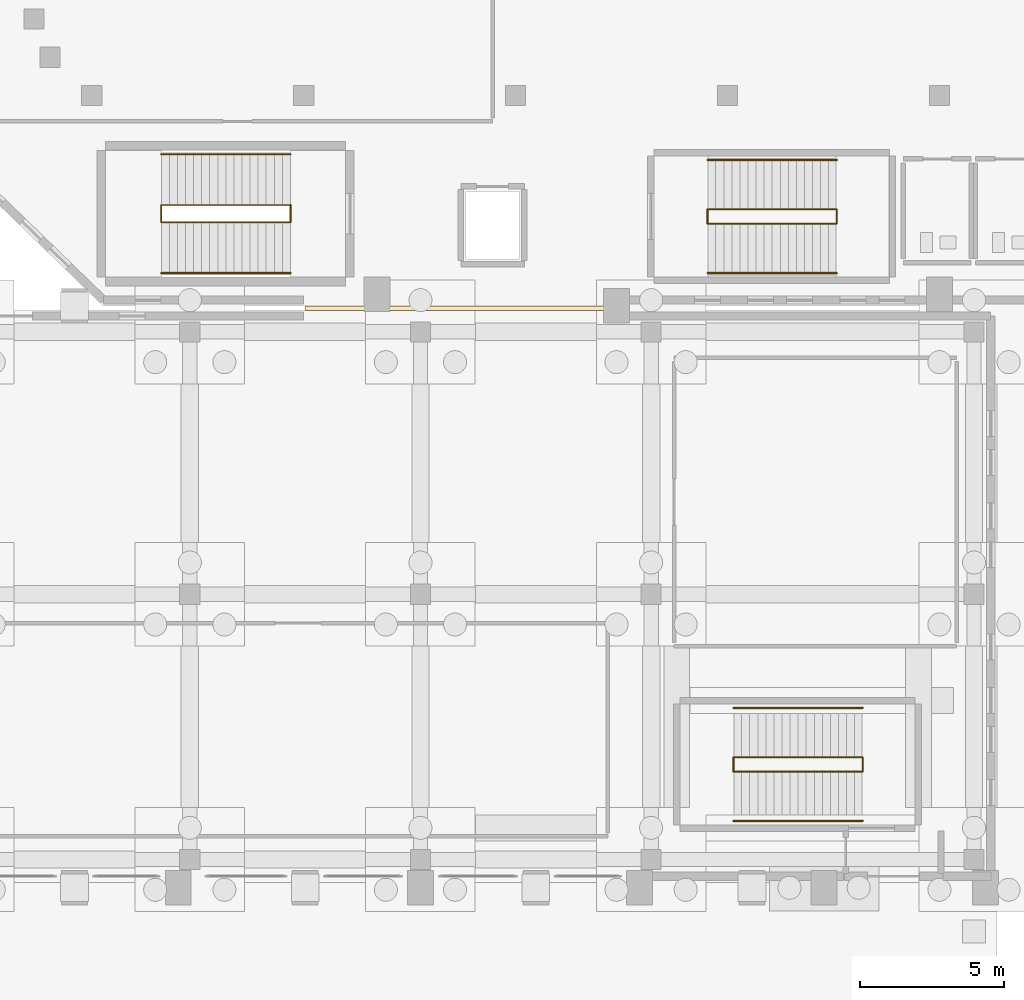
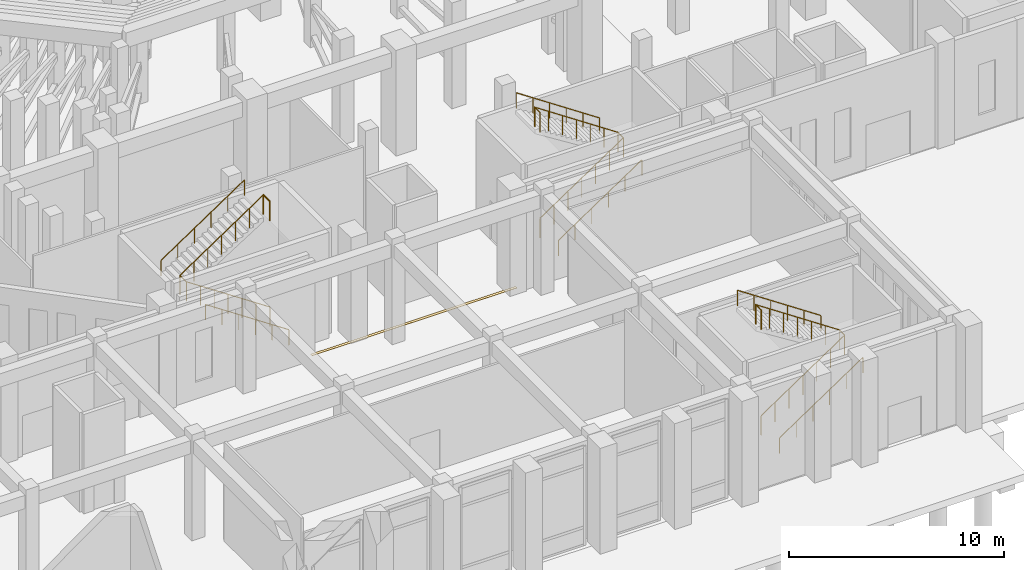
# One storey, part 129 of 143: 12 railings, 1 covering.
"""IFC4 building model written with IfcOpenShell, lengths in metres."""

from ifc_helpers import new_model, si_unit, derived_unit, direction, frame, origin, origin_2d, place, context, subcontext, project, spatial, polyline, circle, outline, extrude, material, layer, layer_set, type_object, element, save


model = new_model("IFC4")

# Units and contexts
model_context = context("Model", 3, precision=1e-05, world=origin(), true_north=direction((0.0, 1.0)))
body_context = subcontext(model_context, "Body", "Model", "MODEL_VIEW")
ifc_project = project(units=[si_unit("LENGTHUNIT", "METRE"), si_unit("AREAUNIT", "SQUARE_METRE"), si_unit("VOLUMEUNIT", "CUBIC_METRE"), si_unit("PLANEANGLEUNIT", "RADIAN"), si_unit("MASSUNIT", "GRAM", prefix="KILO"), derived_unit("THERMALTRANSMITTANCEUNIT", [(si_unit("MASSUNIT", "GRAM", prefix="KILO"), 1), (si_unit("TIMEUNIT", "SECOND"), -3), (si_unit("THERMODYNAMICTEMPERATUREUNIT", "KELVIN"), -1)])], contexts=[model_context])

# Site, building, storey
site_placement = place(None, origin())
site = spatial("IfcSite", under=ifc_project, at=site_placement, CompositionType="ELEMENT")
building_placement = place(site_placement, origin())
building = spatial("IfcBuilding", under=site, at=building_placement, Name="Valcora Ridge Arena", CompositionType="ELEMENT")
storey_placement = place(building_placement, origin())
storey = spatial("IfcBuildingStorey", under=building, at=storey_placement, Name="L00", CompositionType="ELEMENT", Elevation=0.0)

# Covering
ifc_material_1 = material(Name="Steel ASTM A572 Grade 50", Category="steel")
ifc_layer = layer(ifc_material_1, 0.02001953125, Name="Steel ASTM A572 Grade 50")
ifc_layer_set = layer_set([ifc_layer], Name="Steel ASTM A572 Grade 50")
covering_type = type_object("IfcCoveringType", Name="TY-COVERING-COV-SJ-150", PredefinedType="FLOORING", material=ifc_layer_set)
covering_placement = place(storey_placement, frame((0.0, 0.0, -0.02001953125)))
element("IfcCovering", 1, at=covering_placement, inside=storey, type_object=covering_type, Name="COV-SJ-150 COV-SJ-0010", PredefinedType="FLOORING", context=body_context, shape_type="SweptSolid", body=[
    extrude(outline(polyline([(36.0, 19.85009765625), (47.0, 19.85009765625), (47.0, 20.0), (36.0, 20.0), (36.0, 19.85009765625)])), origin(), (0.0, 0.0, 1.0), 0.02001953125),
])

# Railings
ifc_material_2 = material(Name="Galvanized painted steel ASTM A500 Grade B", Category="steel")
railing_type_1 = type_object("IfcRailingType", Name="TY-RAILING-GRD-STAIR-1120", PredefinedType="GUARDRAIL", material=ifc_material_2)
railing_1_placement = place(storey_placement, frame((35.489990234375, 22.89990234375, 0.0)))
element("IfcRailing", 2, at=railing_1_placement, inside=storey, type_object=railing_type_1, Name="GRD-STAIR-1120 RAL-SG-0003", PredefinedType="GUARDRAIL", context=body_context, shape_type="SweptSolid", body=[
    extrude(circle(Radius=0.02392578125, at=origin_2d()), frame((0.0, 0.0, 1.09619140625), z_axis=(-0.830906055479, 0.0, 0.556412730775), x_axis=(0.0, -1.0, 0.0)), (0.0, 0.0, 1.0), 5.3916015625),
    extrude(circle(Radius=0.02392578125, at=origin_2d()), frame((-4.47998046875, 0.0, 4.09619140625), z_axis=(0.0, 1.0, 0.0), x_axis=(-1.0, 0.0, 0.0)), (0.0, 0.0, 1.0), 0.60009765625),
    extrude(circle(Radius=0.02392578125, at=origin_2d()), frame((-4.47998046875, 0.60009765625, 4.09619140625), z_axis=(0.830906055479, 0.0, 0.556412730775), x_axis=(0.0, 1.0, 0.0)), (0.0, 0.0, 1.0), 5.3916015625),
    extrude(circle(Radius=0.02099609375, at=origin_2d()), origin(), (0.0, 0.0, 1.0), 1.072021484375),
    extrude(circle(Radius=0.02099609375, at=origin_2d()), frame((-0.74658203125, 0.0, 0.5)), (0.0, 0.0, 1.0), 1.072021484375),
    extrude(circle(Radius=0.02099609375, at=origin_2d()), frame((-1.493408203125, 0.0, 1.0)), (0.0, 0.0, 1.0), 1.072021484375),
    extrude(circle(Radius=0.02099609375, at=origin_2d()), frame((-2.239990234375, 0.0, 1.5)), (0.0, 0.0, 1.0), 1.072021484375),
    extrude(circle(Radius=0.02099609375, at=origin_2d()), frame((-2.986572265625, 0.0, 2.0)), (0.0, 0.0, 1.0), 1.072021484375),
    extrude(circle(Radius=0.02099609375, at=origin_2d()), frame((-3.7333984375, 0.0, 2.5)), (0.0, 0.0, 1.0), 1.072021484375),
    extrude(circle(Radius=0.02099609375, at=origin_2d()), frame((-4.47998046875, 0.0, 3.0)), (0.0, 0.0, 1.0), 1.072021484375),
    extrude(circle(Radius=0.02099609375, at=origin_2d()), frame((-4.47998046875, 0.60009765625, 3.0)), (0.0, 0.0, 1.0), 1.072021484375),
    extrude(circle(Radius=0.02099609375, at=origin_2d()), frame((-3.7333984375, 0.60009765625, 3.5)), (0.0, 0.0, 1.0), 1.072021484375),
    extrude(circle(Radius=0.02099609375, at=origin_2d()), frame((-2.986572265625, 0.60009765625, 4.0)), (0.0, 0.0, 1.0), 1.072021484375),
    extrude(circle(Radius=0.02099609375, at=origin_2d()), frame((-2.239990234375, 0.60009765625, 4.5)), (0.0, 0.0, 1.0), 1.072021484375),
    extrude(circle(Radius=0.02099609375, at=origin_2d()), frame((-1.493408203125, 0.60009765625, 5.0)), (0.0, 0.0, 1.0), 1.072021484375),
    extrude(circle(Radius=0.02099609375, at=origin_2d()), frame((-0.74658203125, 0.60009765625, 5.5)), (0.0, 0.0, 1.0), 1.072021484375),
    extrude(circle(Radius=0.02099609375, at=origin_2d()), frame((0.0, 0.60009765625, 6.0)), (0.0, 0.0, 1.0), 1.072021484375),
])
railing_2_placement = place(storey_placement, frame((35.489990234375, 22.89990234375, 6.0)))
element("IfcRailing", 3, at=railing_2_placement, inside=storey, type_object=railing_type_1, Name="GRD-STAIR-1120 RAL-SG-0004", PredefinedType="GUARDRAIL", context=body_context, shape_type="SweptSolid", body=[
    extrude(circle(Radius=0.02392578125, at=origin_2d()), frame((0.0, 0.0, 1.09619140625), z_axis=(0.0, 1.0, 0.0), x_axis=(-1.0, 0.0, 0.0)), (0.0, 0.0, 1.0), 0.60009765625),
    extrude(circle(Radius=0.02099609375, at=origin_2d()), origin(), (0.0, 0.0, 1.0), 1.072021484375),
    extrude(circle(Radius=0.02099609375, at=origin_2d()), frame((0.0, 0.60009765625, 0.0)), (0.0, 0.0, 1.0), 1.072021484375),
])
railing_3_placement = place(storey_placement, frame((49.9599609375, 22.85009765625, 0.0)))
element("IfcRailing", 4, at=railing_3_placement, inside=storey, type_object=railing_type_1, Name="GRD-STAIR-1120 RAL-SG-0097", PredefinedType="GUARDRAIL", context=body_context, shape_type="SweptSolid", body=[
    extrude(circle(Radius=0.02392578125, at=origin_2d()), frame((0.0, 0.0, 1.09619140625), z_axis=(0.830906055479, 0.0, 0.556412730775), x_axis=(0.0, 1.0, 0.0)), (0.0, 0.0, 1.0), 5.3916015625),
    extrude(circle(Radius=0.02392578125, at=origin_2d()), frame((4.47998046875, 0.0, 4.09619140625), z_axis=(0.0, 1.0, 0.0), x_axis=(-1.0, 0.0, 0.0)), (0.0, 0.0, 1.0), 0.5),
    extrude(circle(Radius=0.02392578125, at=origin_2d()), frame((4.47998046875, 0.5, 4.09619140625), z_axis=(-0.830906055479, 0.0, 0.556412730775), x_axis=(0.0, -1.0, 0.0)), (0.0, 0.0, 1.0), 5.3916015625),
    extrude(circle(Radius=0.02099609375, at=origin_2d()), origin(), (0.0, 0.0, 1.0), 1.072021484375),
    extrude(circle(Radius=0.02099609375, at=origin_2d()), frame((0.74658203125, 0.0, 0.5)), (0.0, 0.0, 1.0), 1.072021484375),
    extrude(circle(Radius=0.02099609375, at=origin_2d()), frame((1.493408203125, 0.0, 1.0)), (0.0, 0.0, 1.0), 1.072021484375),
    extrude(circle(Radius=0.02099609375, at=origin_2d()), frame((2.239990234375, 0.0, 1.5)), (0.0, 0.0, 1.0), 1.072021484375),
    extrude(circle(Radius=0.02099609375, at=origin_2d()), frame((2.986572265625, 0.0, 2.0)), (0.0, 0.0, 1.0), 1.072021484375),
    extrude(circle(Radius=0.02099609375, at=origin_2d()), frame((3.7333984375, 0.0, 2.5)), (0.0, 0.0, 1.0), 1.072021484375),
    extrude(circle(Radius=0.02099609375, at=origin_2d()), frame((4.47998046875, 0.0, 3.0)), (0.0, 0.0, 1.0), 1.072021484375),
    extrude(circle(Radius=0.02099609375, at=origin_2d()), frame((4.47998046875, 0.5, 3.0)), (0.0, 0.0, 1.0), 1.072021484375),
    extrude(circle(Radius=0.02099609375, at=origin_2d()), frame((3.7333984375, 0.5, 3.5)), (0.0, 0.0, 1.0), 1.072021484375),
    extrude(circle(Radius=0.02099609375, at=origin_2d()), frame((2.986572265625, 0.5, 4.0)), (0.0, 0.0, 1.0), 1.072021484375),
    extrude(circle(Radius=0.02099609375, at=origin_2d()), frame((2.239990234375, 0.5, 4.5)), (0.0, 0.0, 1.0), 1.072021484375),
    extrude(circle(Radius=0.02099609375, at=origin_2d()), frame((1.493408203125, 0.5, 5.0)), (0.0, 0.0, 1.0), 1.072021484375),
    extrude(circle(Radius=0.02099609375, at=origin_2d()), frame((0.74658203125, 0.5, 5.5)), (0.0, 0.0, 1.0), 1.072021484375),
    extrude(circle(Radius=0.02099609375, at=origin_2d()), frame((0.0, 0.5, 6.0)), (0.0, 0.0, 1.0), 1.072021484375),
])
railing_4_placement = place(storey_placement, frame((49.9599609375, 22.85009765625, 6.0)))
element("IfcRailing", 5, at=railing_4_placement, inside=storey, type_object=railing_type_1, Name="GRD-STAIR-1120 RAL-SG-0098", PredefinedType="GUARDRAIL", context=body_context, shape_type="SweptSolid", body=[
    extrude(circle(Radius=0.02392578125, at=origin_2d()), frame((0.0, 0.0, 1.09619140625), z_axis=(0.0, 1.0, 0.0), x_axis=(-1.0, 0.0, 0.0)), (0.0, 0.0, 1.0), 0.5),
    extrude(circle(Radius=0.02099609375, at=origin_2d()), origin(), (0.0, 0.0, 1.0), 1.072021484375),
    extrude(circle(Radius=0.02099609375, at=origin_2d()), frame((0.0, 0.5, 0.0)), (0.0, 0.0, 1.0), 1.072021484375),
])
railing_5_placement = place(storey_placement, frame((50.860107421875, 3.85009765625, 0.0)))
element("IfcRailing", 6, at=railing_5_placement, inside=storey, type_object=railing_type_1, Name="GRD-STAIR-1120 RAL-SG-0137", PredefinedType="GUARDRAIL", context=body_context, shape_type="SweptSolid", body=[
    extrude(circle(Radius=0.02392578125, at=origin_2d()), frame((0.0, 0.0, 1.09619140625), z_axis=(0.830906055479, 0.0, 0.556412730775), x_axis=(0.0, 1.0, 0.0)), (0.0, 0.0, 1.0), 5.3916015625),
    extrude(circle(Radius=0.02392578125, at=origin_2d()), frame((4.47998046875, 0.0, 4.09619140625), z_axis=(0.0, 1.0, 0.0), x_axis=(-1.0, 0.0, 0.0)), (0.0, 0.0, 1.0), 0.5),
    extrude(circle(Radius=0.02392578125, at=origin_2d()), frame((4.47998046875, 0.5, 4.09619140625), z_axis=(-0.830906055479, 0.0, 0.556412730775), x_axis=(0.0, -1.0, 0.0)), (0.0, 0.0, 1.0), 5.3916015625),
    extrude(circle(Radius=0.02099609375, at=origin_2d()), origin(), (0.0, 0.0, 1.0), 1.072021484375),
    extrude(circle(Radius=0.02099609375, at=origin_2d()), frame((0.74658203125, 0.0, 0.5)), (0.0, 0.0, 1.0), 1.072021484375),
    extrude(circle(Radius=0.02099609375, at=origin_2d()), frame((1.493408203125, 0.0, 1.0)), (0.0, 0.0, 1.0), 1.072021484375),
    extrude(circle(Radius=0.02099609375, at=origin_2d()), frame((2.239990234375, 0.0, 1.5)), (0.0, 0.0, 1.0), 1.072021484375),
    extrude(circle(Radius=0.02099609375, at=origin_2d()), frame((2.986572265625, 0.0, 2.0)), (0.0, 0.0, 1.0), 1.072021484375),
    extrude(circle(Radius=0.02099609375, at=origin_2d()), frame((3.7333984375, 0.0, 2.5)), (0.0, 0.0, 1.0), 1.072021484375),
    extrude(circle(Radius=0.02099609375, at=origin_2d()), frame((4.47998046875, 0.0, 3.0)), (0.0, 0.0, 1.0), 1.072021484375),
    extrude(circle(Radius=0.02099609375, at=origin_2d()), frame((4.47998046875, 0.5, 3.0)), (0.0, 0.0, 1.0), 1.072021484375),
    extrude(circle(Radius=0.02099609375, at=origin_2d()), frame((3.7333984375, 0.5, 3.5)), (0.0, 0.0, 1.0), 1.072021484375),
    extrude(circle(Radius=0.02099609375, at=origin_2d()), frame((2.986572265625, 0.5, 4.0)), (0.0, 0.0, 1.0), 1.072021484375),
    extrude(circle(Radius=0.02099609375, at=origin_2d()), frame((2.239990234375, 0.5, 4.5)), (0.0, 0.0, 1.0), 1.072021484375),
    extrude(circle(Radius=0.02099609375, at=origin_2d()), frame((1.493408203125, 0.5, 5.0)), (0.0, 0.0, 1.0), 1.072021484375),
    extrude(circle(Radius=0.02099609375, at=origin_2d()), frame((0.74658203125, 0.5, 5.5)), (0.0, 0.0, 1.0), 1.072021484375),
    extrude(circle(Radius=0.02099609375, at=origin_2d()), frame((0.0, 0.5, 6.0)), (0.0, 0.0, 1.0), 1.072021484375),
])
railing_6_placement = place(storey_placement, frame((50.860107421875, 3.85009765625, 6.0)))
element("IfcRailing", 7, at=railing_6_placement, inside=storey, type_object=railing_type_1, Name="GRD-STAIR-1120 RAL-SG-0138", PredefinedType="GUARDRAIL", context=body_context, shape_type="SweptSolid", body=[
    extrude(circle(Radius=0.02392578125, at=origin_2d()), frame((0.0, 0.0, 1.09619140625), z_axis=(0.0, 1.0, 0.0), x_axis=(-1.0, 0.0, 0.0)), (0.0, 0.0, 1.0), 0.5),
    extrude(circle(Radius=0.02099609375, at=origin_2d()), origin(), (0.0, 0.0, 1.0), 1.072021484375),
    extrude(circle(Radius=0.02099609375, at=origin_2d()), frame((0.0, 0.5, 0.0)), (0.0, 0.0, 1.0), 1.072021484375),
])
railing_type_2 = type_object("IfcRailingType", Name="TY-RAILING-HR-STAIR-900", PredefinedType="HANDRAIL", material=ifc_material_2)
railing_7_placement = place(storey_placement, frame((35.489990234375, 21.139892578125, 0.0)))
element("IfcRailing", 8, at=railing_7_placement, inside=storey, type_object=railing_type_2, Name="HR-STAIR-900 RAL-SH-0003", PredefinedType="HANDRAIL", context=body_context, shape_type="SweptSolid", body=[
    extrude(circle(Radius=0.02392578125, at=origin_2d()), frame((0.0, 0.0, 0.8759765625), z_axis=(-0.830906055479, 0.0, 0.556412730775), x_axis=(0.0, -1.0, 0.0)), (0.0, 0.0, 1.0), 5.3916015625),
    extrude(circle(Radius=0.02099609375, at=origin_2d()), origin(), (0.0, 0.0, 1.0), 0.851806640625),
    extrude(circle(Radius=0.02099609375, at=origin_2d()), frame((-0.89599609375, 0.0, 0.60009765625)), (0.0, 0.0, 1.0), 0.851806640625),
    extrude(circle(Radius=0.02099609375, at=origin_2d()), frame((-1.7919921875, 0.0, 1.199951171875)), (0.0, 0.0, 1.0), 0.851806640625),
    extrude(circle(Radius=0.02099609375, at=origin_2d()), frame((-2.68798828125, 0.0, 1.800048828125)), (0.0, 0.0, 1.0), 0.851806640625),
    extrude(circle(Radius=0.02099609375, at=origin_2d()), frame((-3.583984375, 0.0, 2.39990234375)), (0.0, 0.0, 1.0), 0.851806640625),
    extrude(circle(Radius=0.02099609375, at=origin_2d()), frame((-4.47998046875, 0.0, 3.0)), (0.0, 0.0, 1.0), 0.851806640625),
])
for number, where, name in (
    (9, (31.010009765625, 25.260009765625, 3.0), "HR-STAIR-900 RAL-SH-0004"),
    (10, (49.9599609375, 21.139892578125, 0.0), "HR-STAIR-900 RAL-SH-0097"),
):
    element("IfcRailing", number, at=place(storey_placement, frame(where)), inside=storey, type_object=railing_type_2, Name=name, PredefinedType="HANDRAIL", context=body_context, shape_type="SweptSolid", body=[
        extrude(circle(Radius=0.02392578125, at=origin_2d()), frame((0.0, 0.0, 0.8759765625), z_axis=(0.830906055479, 0.0, 0.556412730775), x_axis=(0.0, 1.0, 0.0)), (0.0, 0.0, 1.0), 5.3916015625),
        extrude(circle(Radius=0.02099609375, at=origin_2d()), origin(), (0.0, 0.0, 1.0), 0.851806640625),
        extrude(circle(Radius=0.02099609375, at=origin_2d()), frame((0.89599609375, 0.0, 0.60009765625)), (0.0, 0.0, 1.0), 0.851806640625),
        extrude(circle(Radius=0.02099609375, at=origin_2d()), frame((1.7919921875, 0.0, 1.199951171875)), (0.0, 0.0, 1.0), 0.851806640625),
        extrude(circle(Radius=0.02099609375, at=origin_2d()), frame((2.68798828125, 0.0, 1.800048828125)), (0.0, 0.0, 1.0), 0.851806640625),
        extrude(circle(Radius=0.02099609375, at=origin_2d()), frame((3.583984375, 0.0, 2.39990234375)), (0.0, 0.0, 1.0), 0.851806640625),
        extrude(circle(Radius=0.02099609375, at=origin_2d()), frame((4.47998046875, 0.0, 3.0)), (0.0, 0.0, 1.0), 0.851806640625),
    ])
railing_8_placement = place(storey_placement, frame((54.43994140625, 25.06005859375, 3.0)))
element("IfcRailing", 11, at=railing_8_placement, inside=storey, type_object=railing_type_2, Name="HR-STAIR-900 RAL-SH-0098", PredefinedType="HANDRAIL", context=body_context, shape_type="SweptSolid", body=[
    extrude(circle(Radius=0.02392578125, at=origin_2d()), frame((0.0, 0.0, 0.8759765625), z_axis=(-0.830906055479, 0.0, 0.556412730775), x_axis=(0.0, -1.0, 0.0)), (0.0, 0.0, 1.0), 5.3916015625),
    extrude(circle(Radius=0.02099609375, at=origin_2d()), origin(), (0.0, 0.0, 1.0), 0.851806640625),
    extrude(circle(Radius=0.02099609375, at=origin_2d()), frame((-0.89599609375, 0.0, 0.60009765625)), (0.0, 0.0, 1.0), 0.851806640625),
    extrude(circle(Radius=0.02099609375, at=origin_2d()), frame((-1.7919921875, 0.0, 1.199951171875)), (0.0, 0.0, 1.0), 0.851806640625),
    extrude(circle(Radius=0.02099609375, at=origin_2d()), frame((-2.68798828125, 0.0, 1.800048828125)), (0.0, 0.0, 1.0), 0.851806640625),
    extrude(circle(Radius=0.02099609375, at=origin_2d()), frame((-3.583984375, 0.0, 2.39990234375)), (0.0, 0.0, 1.0), 0.851806640625),
    extrude(circle(Radius=0.02099609375, at=origin_2d()), frame((-4.47998046875, 0.0, 3.0)), (0.0, 0.0, 1.0), 0.851806640625),
])
railing_9_placement = place(storey_placement, frame((50.860107421875, 2.139892578125, 0.0)))
element("IfcRailing", 12, at=railing_9_placement, inside=storey, type_object=railing_type_2, Name="HR-STAIR-900 RAL-SH-0137", PredefinedType="HANDRAIL", context=body_context, shape_type="SweptSolid", body=[
    extrude(circle(Radius=0.02392578125, at=origin_2d()), frame((0.0, 0.0, 0.8759765625), z_axis=(0.830906055479, 0.0, 0.556412730775), x_axis=(0.0, 1.0, 0.0)), (0.0, 0.0, 1.0), 5.3916015625),
    extrude(circle(Radius=0.02099609375, at=origin_2d()), origin(), (0.0, 0.0, 1.0), 0.851806640625),
    extrude(circle(Radius=0.02099609375, at=origin_2d()), frame((0.89599609375, 0.0, 0.60009765625)), (0.0, 0.0, 1.0), 0.851806640625),
    extrude(circle(Radius=0.02099609375, at=origin_2d()), frame((1.7919921875, 0.0, 1.199951171875)), (0.0, 0.0, 1.0), 0.851806640625),
    extrude(circle(Radius=0.02099609375, at=origin_2d()), frame((2.68798828125, 0.0, 1.800048828125)), (0.0, 0.0, 1.0), 0.851806640625),
    extrude(circle(Radius=0.02099609375, at=origin_2d()), frame((3.583984375, 0.0, 2.39990234375)), (0.0, 0.0, 1.0), 0.851806640625),
    extrude(circle(Radius=0.02099609375, at=origin_2d()), frame((4.47998046875, 0.0, 3.0)), (0.0, 0.0, 1.0), 0.851806640625),
])
railing_10_placement = place(storey_placement, frame((55.340087890625, 6.06005859375, 3.0)))
element("IfcRailing", 13, at=railing_10_placement, inside=storey, type_object=railing_type_2, Name="HR-STAIR-900 RAL-SH-0138", PredefinedType="HANDRAIL", context=body_context, shape_type="SweptSolid", body=[
    extrude(circle(Radius=0.02392578125, at=origin_2d()), frame((0.0, 0.0, 0.8759765625), z_axis=(-0.830906055479, 0.0, 0.556412730775), x_axis=(0.0, -1.0, 0.0)), (0.0, 0.0, 1.0), 5.3916015625),
    extrude(circle(Radius=0.02099609375, at=origin_2d()), origin(), (0.0, 0.0, 1.0), 0.851806640625),
    extrude(circle(Radius=0.02099609375, at=origin_2d()), frame((-0.89599609375, 0.0, 0.60009765625)), (0.0, 0.0, 1.0), 0.851806640625),
    extrude(circle(Radius=0.02099609375, at=origin_2d()), frame((-1.7919921875, 0.0, 1.199951171875)), (0.0, 0.0, 1.0), 0.851806640625),
    extrude(circle(Radius=0.02099609375, at=origin_2d()), frame((-2.68798828125, 0.0, 1.800048828125)), (0.0, 0.0, 1.0), 0.851806640625),
    extrude(circle(Radius=0.02099609375, at=origin_2d()), frame((-3.583984375, 0.0, 2.39990234375)), (0.0, 0.0, 1.0), 0.851806640625),
    extrude(circle(Radius=0.02099609375, at=origin_2d()), frame((-4.47998046875, 0.0, 3.0)), (0.0, 0.0, 1.0), 0.851806640625),
])

save(model, "model.ifc")
